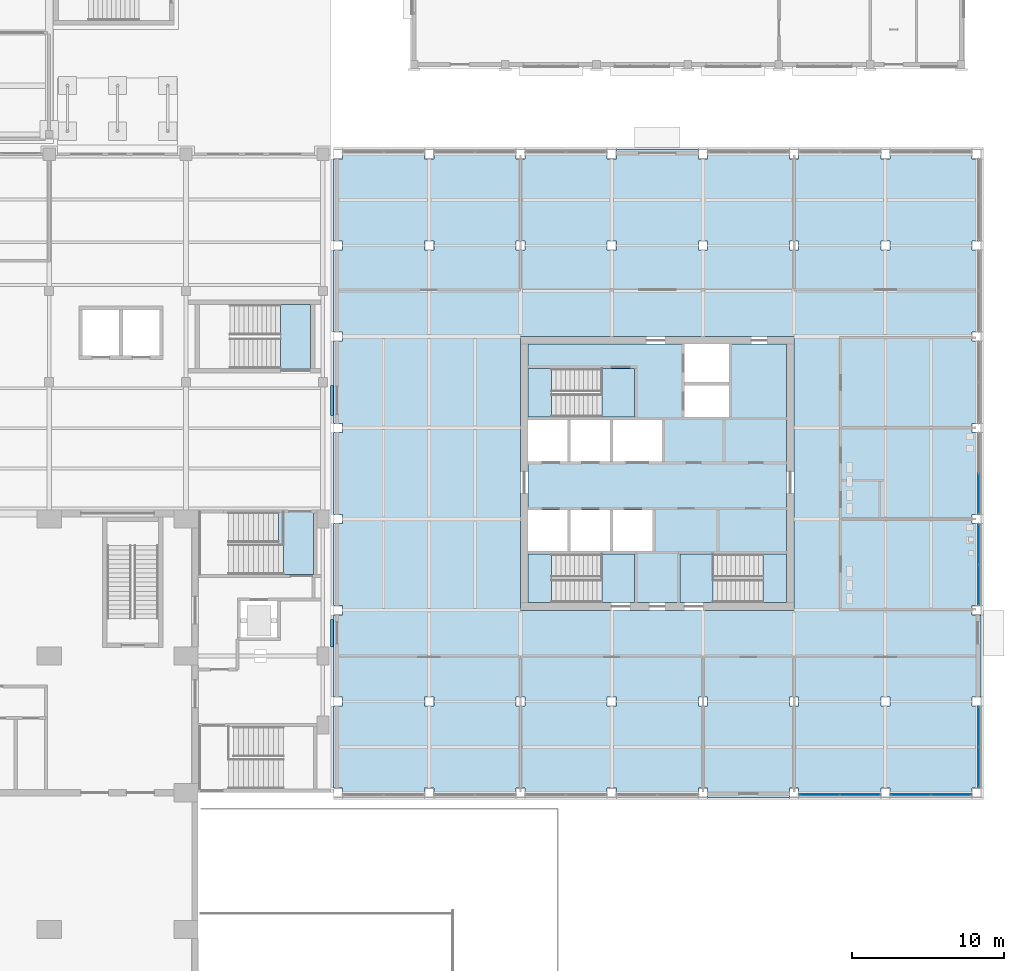
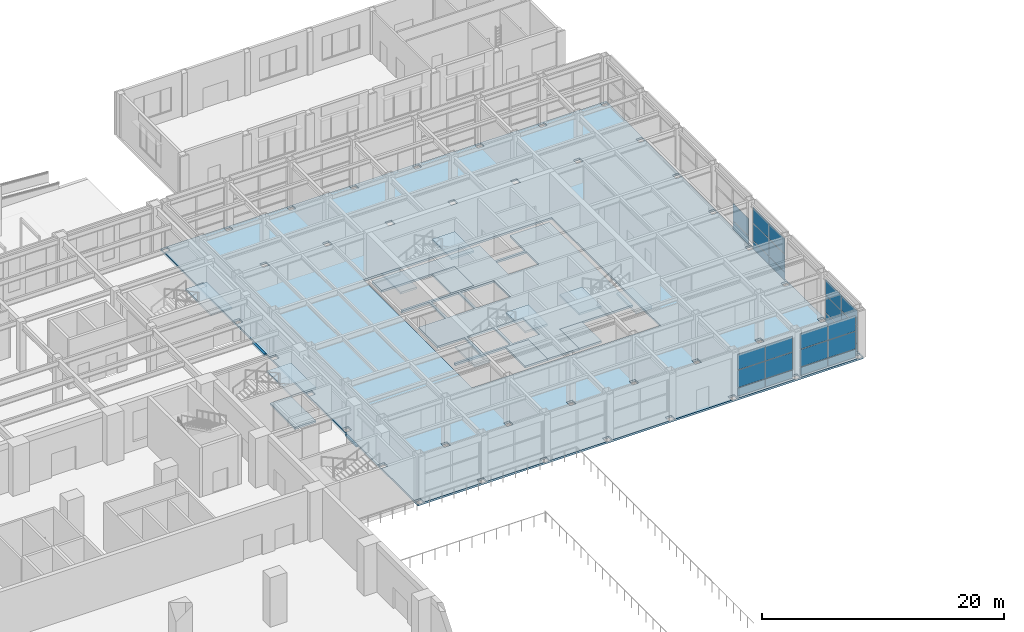
# One storey, part 33 of 77: 28 plates, 14 slabs, 10 elements without a shape of their own.
"""IFC4 building model written with IfcOpenShell, lengths in metres."""

from ifc_helpers import new_model, si_unit, direction, frame, origin, origin_2d, place, context, subcontext, project, spatial, polyline, rectangle, outline, extrude, material, layer, layer_set, type_object, element, aggregate, save


model = new_model("IFC4")

# Units and contexts
model_context = context("Model", 3, precision=1e-05, world=origin(), true_north=direction((0.0, 1.0)))
body_context = subcontext(model_context, "Body", "Model", "MODEL_VIEW")
ifc_project = project(units=[si_unit("LENGTHUNIT", "METRE"), si_unit("AREAUNIT", "SQUARE_METRE"), si_unit("VOLUMEUNIT", "CUBIC_METRE"), si_unit("PLANEANGLEUNIT", "RADIAN"), si_unit("MASSUNIT", "GRAM", prefix="KILO")], contexts=[model_context])

# Site, building, storey
site_placement = place(None, origin())
site = spatial("IfcSite", under=ifc_project, at=site_placement, CompositionType="ELEMENT")
building_placement = place(site_placement, origin())
building = spatial("IfcBuilding", under=site, at=building_placement, Name="Aravalli Gate Trade Fair Centre", CompositionType="ELEMENT")
storey_placement = place(building_placement, origin())
storey = spatial("IfcBuildingStorey", under=building, at=storey_placement, Name="L00", CompositionType="ELEMENT", Elevation=0.0)

# Stair, slab
ifc_material_1 = material(Name="Concrete M30", Category="concrete")
stair_type_1 = type_object("IfcStairType", Name="Concourse stair, 2000 wide", PredefinedType="HALF_TURN_STAIR", material=ifc_material_1)
stair_1_placement = place(storey_placement, origin())
stair_1 = element("IfcStair", 1, at=stair_1_placement, inside=storey, type_object=stair_type_1, Name="Stair ES L00", PredefinedType="HALF_TURN_STAIR")
ifc_layer_1 = layer(ifc_material_1, 0.199951171875)
ifc_layer_set_1 = layer_set([ifc_layer_1], Name="Concrete M30")
slab_type_1 = type_object("IfcSlabType", Name="Concourse stair landing 200", PredefinedType="LANDING", material=ifc_layer_set_1)
slab_1_placement = place(storey_placement, frame((0.0, 0.0, 3.13330078125)))
slab_1 = element("IfcSlab", 2, at=slab_1_placement, type_object=slab_type_1, Name="STES-L00 landing 2", PredefinedType="LANDING", context=body_context, shape_type="SweptSolid", body=[
    extrude(outline(polyline([(156.199951171875, 118.89990234375), (158.199951171875, 118.89990234375), (158.199951171875, 123.10009765625), (156.199951171875, 123.10009765625), (156.199951171875, 118.89990234375)])), origin(), (0.0, 0.0, 1.0), 0.199951171875),
])
aggregate(stair_1, [slab_1])

# Slab
ifc_material_2 = material(Name="Concrete M50", Category="concrete")
ifc_layer_2 = layer(ifc_material_2, 0.199951171875)
ifc_layer_set_2 = layer_set([ifc_layer_2], Name="Concrete M50")
slab_type_2 = type_object("IfcSlabType", Name="Wing core floor slab 200", PredefinedType="FLOOR", material=ifc_layer_set_2)
slab_2_placement = place(storey_placement, frame((0.0, 0.0, -0.199951171875)))
element("IfcSlab", 3, at=slab_2_placement, inside=storey, type_object=slab_type_2, Name="Core floor slab L00", PredefinedType="FLOOR", context=body_context, shape_type="SweptSolid", body=[
    extrude(outline(polyline([(189.5, 120.5), (189.5, 106.699951171875), (182.5, 106.699951171875), (182.5, 103.5), (179.5, 103.5), (179.5, 106.699951171875), (172.5, 106.699951171875), (172.5, 106.89990234375), (175.10009765625, 106.89990234375), (175.10009765625, 109.60009765625), (172.5, 109.60009765625), (172.5, 112.800048828125), (175.10009765625, 112.800048828125), (175.10009765625, 115.5), (172.5, 115.5), (172.5, 115.699951171875), (179.5, 115.699951171875), (179.5, 118.89990234375), (172.5, 118.89990234375), (172.5, 120.5), (182.800048828125, 120.5), (182.800048828125, 118.0), (185.699951171875, 118.0), (185.699951171875, 120.5), (189.5, 120.5)]), holes=[polyline([(175.300048828125, 109.60009765625), (175.300048828125, 106.89990234375), (177.89990234375, 106.89990234375), (177.89990234375, 109.60009765625), (175.300048828125, 109.60009765625)]), polyline([(177.89990234375, 115.5), (175.300048828125, 115.5), (175.300048828125, 112.800048828125), (177.89990234375, 112.800048828125), (177.89990234375, 115.5)]), polyline([(180.699951171875, 109.60009765625), (178.10009765625, 109.60009765625), (178.10009765625, 106.89990234375), (180.699951171875, 106.89990234375), (180.699951171875, 109.60009765625)]), polyline([(178.10009765625, 115.5), (178.10009765625, 112.800048828125), (181.300048828125, 112.800048828125), (181.300048828125, 115.5), (178.10009765625, 115.5)]), polyline([(185.699951171875, 117.800048828125), (182.800048828125, 117.800048828125), (182.800048828125, 115.699951171875), (185.699951171875, 115.699951171875), (185.699951171875, 117.800048828125)])]), origin(), (0.0, 0.0, 1.0), 0.199951171875),
])

# Stair, slabs
stair_type_2 = type_object("IfcStairType", Name="Wing core stair", PredefinedType="HALF_TURN_STAIR", material=ifc_material_1)
stair_2_placement = place(storey_placement, origin())
stair_2 = element("IfcStair", 4, at=stair_2_placement, inside=storey, type_object=stair_type_2, Name="Stair S2 L00", PredefinedType="HALF_TURN_STAIR")
ifc_layer_3 = layer(ifc_material_1, 0.199951171875)
ifc_layer_set_3 = layer_set([ifc_layer_3], Name="Concrete M30")
slab_type_3 = type_object("IfcSlabType", Name="Wing core stair landing 200", PredefinedType="LANDING", material=ifc_layer_set_3)
slab_3_placement = place(storey_placement, frame((0.0, 0.0, -0.199951171875)))
slab_3 = element("IfcSlab", 5, at=slab_3_placement, type_object=slab_type_3, Name="TST1 landing 1", PredefinedType="LANDING", context=body_context, shape_type="SweptSolid", body=[
    extrude(outline(polyline([(177.35009765625, 103.5), (179.5, 103.5), (179.5, 106.699951171875), (177.35009765625, 106.699951171875), (177.35009765625, 103.5)])), origin(), (0.0, 0.0, 1.0), 0.199951171875),
])
slab_4_placement = place(storey_placement, frame((0.0, 0.0, 1.564697265625)))
slab_4 = element("IfcSlab", 6, at=slab_4_placement, type_object=slab_type_3, Name="TST1 landing 2", PredefinedType="LANDING", context=body_context, shape_type="SweptSolid", body=[
    extrude(outline(polyline([(172.5, 103.5), (174.050048828125, 103.5), (174.050048828125, 106.699951171875), (172.5, 106.699951171875), (172.5, 103.5)])), origin(), (0.0, 0.0, 1.0), 0.199951171875),
])
slab_5_placement = place(storey_placement, frame((0.0, 0.0, 3.329345703125)))
slab_5 = element("IfcSlab", 7, at=slab_5_placement, type_object=slab_type_3, Name="TST1 landing 3", PredefinedType="LANDING", context=body_context, shape_type="SweptSolid", body=[
    extrude(outline(polyline([(177.35009765625, 103.5), (179.5, 103.5), (179.5, 106.699951171875), (177.35009765625, 106.699951171875), (177.35009765625, 103.5)])), origin(), (0.0, 0.0, 1.0), 0.199951171875),
])
aggregate(stair_2, [slab_3, slab_4, slab_5])

stair_3_placement = place(storey_placement, origin())
stair_3 = element("IfcStair", 8, at=stair_3_placement, inside=storey, type_object=stair_type_2, Name="Stair S1 L00", PredefinedType="HALF_TURN_STAIR")
slab_6_placement = place(storey_placement, frame((0.0, 0.0, -0.199951171875)))
slab_6 = element("IfcSlab", 9, at=slab_6_placement, type_object=slab_type_3, Name="TST1 landing 1", PredefinedType="LANDING", context=body_context, shape_type="SweptSolid", body=[
    extrude(outline(polyline([(182.5, 103.5), (184.64990234375, 103.5), (184.64990234375, 106.699951171875), (182.5, 106.699951171875), (182.5, 103.5)])), origin(), (0.0, 0.0, 1.0), 0.199951171875),
])
slab_7_placement = place(storey_placement, frame((0.0, 0.0, 1.564697265625)))
slab_7 = element("IfcSlab", 10, at=slab_7_placement, type_object=slab_type_3, Name="TST1 landing 2", PredefinedType="LANDING", context=body_context, shape_type="SweptSolid", body=[
    extrude(outline(polyline([(187.949951171875, 103.5), (189.5, 103.5), (189.5, 106.699951171875), (187.949951171875, 106.699951171875), (187.949951171875, 103.5)])), origin(), (0.0, 0.0, 1.0), 0.199951171875),
])
slab_8_placement = place(storey_placement, frame((0.0, 0.0, 3.329345703125)))
slab_8 = element("IfcSlab", 11, at=slab_8_placement, type_object=slab_type_3, Name="TST1 landing 3", PredefinedType="LANDING", context=body_context, shape_type="SweptSolid", body=[
    extrude(outline(polyline([(182.5, 103.5), (184.64990234375, 103.5), (184.64990234375, 106.699951171875), (182.5, 106.699951171875), (182.5, 103.5)])), origin(), (0.0, 0.0, 1.0), 0.199951171875),
])
aggregate(stair_3, [slab_6, slab_7, slab_8])

stair_4_placement = place(storey_placement, origin())
stair_4 = element("IfcStair", 12, at=stair_4_placement, inside=storey, type_object=stair_type_2, Name="Stair FFS L00", PredefinedType="HALF_TURN_STAIR")
slab_9_placement = place(storey_placement, frame((0.0, 0.0, -0.199951171875)))
slab_9 = element("IfcSlab", 13, at=slab_9_placement, type_object=slab_type_3, Name="TST1 landing 1", PredefinedType="LANDING", context=body_context, shape_type="SweptSolid", body=[
    extrude(outline(polyline([(177.35009765625, 115.699951171875), (179.5, 115.699951171875), (179.5, 118.89990234375), (177.35009765625, 118.89990234375), (177.35009765625, 115.699951171875)])), origin(), (0.0, 0.0, 1.0), 0.199951171875),
])
slab_10_placement = place(storey_placement, frame((0.0, 0.0, 1.564697265625)))
slab_10 = element("IfcSlab", 14, at=slab_10_placement, type_object=slab_type_3, Name="TST1 landing 2", PredefinedType="LANDING", context=body_context, shape_type="SweptSolid", body=[
    extrude(outline(polyline([(172.5, 115.699951171875), (174.050048828125, 115.699951171875), (174.050048828125, 118.89990234375), (172.5, 118.89990234375), (172.5, 115.699951171875)])), origin(), (0.0, 0.0, 1.0), 0.199951171875),
])
slab_11_placement = place(storey_placement, frame((0.0, 0.0, 3.329345703125)))
slab_11 = element("IfcSlab", 15, at=slab_11_placement, type_object=slab_type_3, Name="TST1 landing 3", PredefinedType="LANDING", context=body_context, shape_type="SweptSolid", body=[
    extrude(outline(polyline([(177.35009765625, 115.699951171875), (179.5, 115.699951171875), (179.5, 118.89990234375), (177.35009765625, 118.89990234375), (177.35009765625, 115.699951171875)])), origin(), (0.0, 0.0, 1.0), 0.199951171875),
])
aggregate(stair_4, [slab_9, slab_10, slab_11])

stair_5_placement = place(storey_placement, origin())
stair_5 = element("IfcStair", 16, at=stair_5_placement, inside=storey, type_object=stair_type_2, Name="Stair LB L00", PredefinedType="HALF_TURN_STAIR")
slab_12_placement = place(storey_placement, frame((0.0, 0.0, -0.199951171875)))
slab_12 = element("IfcSlab", 17, at=slab_12_placement, type_object=slab_type_3, Name="TST1 landing 1", PredefinedType="LANDING", context=body_context, shape_type="SweptSolid", body=[
    extrude(outline(polyline([(156.39990234375, 105.35009765625), (158.39990234375, 105.35009765625), (158.39990234375, 109.449951171875), (156.39990234375, 109.449951171875), (156.39990234375, 105.35009765625)])), origin(), (0.0, 0.0, 1.0), 0.199951171875),
])
slab_13_placement = place(storey_placement, frame((0.0, 0.0, 3.182373046875)))
slab_13 = element("IfcSlab", 18, at=slab_13_placement, type_object=slab_type_3, Name="TST1 landing 3", PredefinedType="LANDING", context=body_context, shape_type="SweptSolid", body=[
    extrude(outline(polyline([(156.072998046875, 105.35009765625), (158.39990234375, 105.35009765625), (158.39990234375, 109.449951171875), (156.072998046875, 109.449951171875), (156.072998046875, 105.35009765625)])), origin(), (0.0, 0.0, 1.0), 0.199951171875),
])
aggregate(stair_5, [slab_12, slab_13])

# Curtain wall, plates
ifc_material_3 = material(Name="Aluminium and glass", Category="aluminium")
curtain_wall_type = type_object("IfcCurtainWallType", Name="Wing curtain wall", PredefinedType="NOTDEFINED", material=ifc_material_3)
curtain_wall_1_placement = place(storey_placement, origin())
curtain_wall_1 = element("IfcCurtainWall", 19, at=curtain_wall_1_placement, inside=storey, type_object=curtain_wall_type, Name="Curtain wall S5 L00", PredefinedType="NOTDEFINED")
ifc_material_4 = material(Name="Glass", Category="glass")
ifc_layer_4 = layer(ifc_material_4, 0.028076171875)
ifc_layer_set_4 = layer_set([ifc_layer_4], Name="Glass")
plate_type_1 = type_object("IfcPlateType", Name="Wing curtain wall glazing panel 28", PredefinedType="CURTAIN_PANEL", material=ifc_layer_set_4)
plate_1_placement = place(storey_placement, frame((191.6650390625, 90.875, 0.06005859375), z_axis=(0.0, 0.0, 1.0), x_axis=(1.0, 0.0, 0.0)))
plate_1 = element("IfcPlate", 20, at=plate_1_placement, type_object=plate_type_1, Name="TCW1 panel 1.1", PredefinedType="CURTAIN_PANEL", context=body_context, shape_type="SweptSolid", body=[
    extrude(rectangle(XDim=2.610107421875, YDim=0.028076171875, at=origin_2d()), origin(), (0.0, 0.0, 1.0), 0.81005859375),
])
plate_2_placement = place(storey_placement, frame((191.6650390625, 90.875, 0.93017578125), z_axis=(0.0, 0.0, 1.0), x_axis=(1.0, 0.0, 0.0)))
plate_2 = element("IfcPlate", 21, at=plate_2_placement, type_object=plate_type_1, Name="TCW1 panel 1.2", PredefinedType="CURTAIN_PANEL", context=body_context, shape_type="SweptSolid", body=[
    extrude(rectangle(XDim=2.610107421875, YDim=0.028076171875, at=origin_2d()), origin(), (0.0, 0.0, 1.0), 1.739990234375),
])
plate_3_placement = place(storey_placement, frame((191.6650390625, 90.875, 2.72998046875), z_axis=(0.0, 0.0, 1.0), x_axis=(1.0, 0.0, 0.0)))
plate_3 = element("IfcPlate", 22, at=plate_3_placement, type_object=plate_type_1, Name="TCW1 panel 1.3", PredefinedType="CURTAIN_PANEL", context=body_context, shape_type="SweptSolid", body=[
    extrude(rectangle(XDim=2.610107421875, YDim=0.028076171875, at=origin_2d()), origin(), (0.0, 0.0, 1.0), 1.56005859375),
])
plate_4_placement = place(storey_placement, frame((194.3349609375, 90.875, 0.06005859375), z_axis=(0.0, 0.0, 1.0), x_axis=(1.0, 0.0, 0.0)))
plate_4 = element("IfcPlate", 23, at=plate_4_placement, type_object=plate_type_1, Name="TCW1 panel 2.1", PredefinedType="CURTAIN_PANEL", context=body_context, shape_type="SweptSolid", body=[
    extrude(rectangle(XDim=2.610107421875, YDim=0.028076171875, at=origin_2d()), origin(), (0.0, 0.0, 1.0), 0.81005859375),
])
plate_5_placement = place(storey_placement, frame((194.3349609375, 90.875, 0.93017578125), z_axis=(0.0, 0.0, 1.0), x_axis=(1.0, 0.0, 0.0)))
plate_5 = element("IfcPlate", 24, at=plate_5_placement, type_object=plate_type_1, Name="TCW1 panel 2.2", PredefinedType="CURTAIN_PANEL", context=body_context, shape_type="SweptSolid", body=[
    extrude(rectangle(XDim=2.610107421875, YDim=0.028076171875, at=origin_2d()), origin(), (0.0, 0.0, 1.0), 1.739990234375),
])
plate_6_placement = place(storey_placement, frame((194.3349609375, 90.875, 2.72998046875), z_axis=(0.0, 0.0, 1.0), x_axis=(1.0, 0.0, 0.0)))
plate_6 = element("IfcPlate", 25, at=plate_6_placement, type_object=plate_type_1, Name="TCW1 panel 2.3", PredefinedType="CURTAIN_PANEL", context=body_context, shape_type="SweptSolid", body=[
    extrude(rectangle(XDim=2.610107421875, YDim=0.028076171875, at=origin_2d()), origin(), (0.0, 0.0, 1.0), 1.56005859375),
])
aggregate(curtain_wall_1, [plate_1, plate_2, plate_3, plate_4, plate_5, plate_6])

curtain_wall_2_placement = place(storey_placement, origin())
curtain_wall_2 = element("IfcCurtainWall", 26, at=curtain_wall_2_placement, inside=storey, type_object=curtain_wall_type, Name="Curtain wall S6 L00", PredefinedType="NOTDEFINED")
plate_7_placement = place(storey_placement, frame((197.6650390625, 90.875, 0.06005859375), z_axis=(0.0, 0.0, 1.0), x_axis=(1.0, 0.0, 0.0)))
plate_7 = element("IfcPlate", 27, at=plate_7_placement, type_object=plate_type_1, Name="TCW1 panel 1.1", PredefinedType="CURTAIN_PANEL", context=body_context, shape_type="SweptSolid", body=[
    extrude(rectangle(XDim=2.610107421875, YDim=0.028076171875, at=origin_2d()), origin(), (0.0, 0.0, 1.0), 0.81005859375),
])
plate_8_placement = place(storey_placement, frame((197.6650390625, 90.875, 0.93017578125), z_axis=(0.0, 0.0, 1.0), x_axis=(1.0, 0.0, 0.0)))
plate_8 = element("IfcPlate", 28, at=plate_8_placement, type_object=plate_type_1, Name="TCW1 panel 1.2", PredefinedType="CURTAIN_PANEL", context=body_context, shape_type="SweptSolid", body=[
    extrude(rectangle(XDim=2.610107421875, YDim=0.028076171875, at=origin_2d()), origin(), (0.0, 0.0, 1.0), 1.739990234375),
])
plate_9_placement = place(storey_placement, frame((197.6650390625, 90.875, 2.72998046875), z_axis=(0.0, 0.0, 1.0), x_axis=(1.0, 0.0, 0.0)))
plate_9 = element("IfcPlate", 29, at=plate_9_placement, type_object=plate_type_1, Name="TCW1 panel 1.3", PredefinedType="CURTAIN_PANEL", context=body_context, shape_type="SweptSolid", body=[
    extrude(rectangle(XDim=2.610107421875, YDim=0.028076171875, at=origin_2d()), origin(), (0.0, 0.0, 1.0), 1.56005859375),
])
plate_10_placement = place(storey_placement, frame((200.3349609375, 90.875, 0.06005859375), z_axis=(0.0, 0.0, 1.0), x_axis=(1.0, 0.0, 0.0)))
plate_10 = element("IfcPlate", 30, at=plate_10_placement, type_object=plate_type_1, Name="TCW1 panel 2.1", PredefinedType="CURTAIN_PANEL", context=body_context, shape_type="SweptSolid", body=[
    extrude(rectangle(XDim=2.610107421875, YDim=0.028076171875, at=origin_2d()), origin(), (0.0, 0.0, 1.0), 0.81005859375),
])
plate_11_placement = place(storey_placement, frame((200.3349609375, 90.875, 0.93017578125), z_axis=(0.0, 0.0, 1.0), x_axis=(1.0, 0.0, 0.0)))
plate_11 = element("IfcPlate", 31, at=plate_11_placement, type_object=plate_type_1, Name="TCW1 panel 2.2", PredefinedType="CURTAIN_PANEL", context=body_context, shape_type="SweptSolid", body=[
    extrude(rectangle(XDim=2.610107421875, YDim=0.028076171875, at=origin_2d()), origin(), (0.0, 0.0, 1.0), 1.739990234375),
])
plate_12_placement = place(storey_placement, frame((200.3349609375, 90.875, 2.72998046875), z_axis=(0.0, 0.0, 1.0), x_axis=(1.0, 0.0, 0.0)))
plate_12 = element("IfcPlate", 32, at=plate_12_placement, type_object=plate_type_1, Name="TCW1 panel 2.3", PredefinedType="CURTAIN_PANEL", context=body_context, shape_type="SweptSolid", body=[
    extrude(rectangle(XDim=2.610107421875, YDim=0.028076171875, at=origin_2d()), origin(), (0.0, 0.0, 1.0), 1.56005859375),
])
aggregate(curtain_wall_2, [plate_7, plate_8, plate_9, plate_10, plate_11, plate_12])

curtain_wall_3_placement = place(storey_placement, origin())
curtain_wall_3 = element("IfcCurtainWall", 33, at=curtain_wall_3_placement, inside=storey, type_object=curtain_wall_type, Name="Curtain wall E0 L00", PredefinedType="NOTDEFINED")
plate_13_placement = place(storey_placement, frame((202.125, 92.6650390625, 0.06005859375), z_axis=(0.0, 0.0, 1.0), x_axis=(0.0, 1.0, 0.0)))
plate_13 = element("IfcPlate", 34, at=plate_13_placement, type_object=plate_type_1, Name="TCW1 panel 1.1", PredefinedType="CURTAIN_PANEL", context=body_context, shape_type="SweptSolid", body=[
    extrude(rectangle(XDim=2.610107421875, YDim=0.028076171875, at=origin_2d()), origin(), (0.0, 0.0, 1.0), 0.81005859375),
])
plate_14_placement = place(storey_placement, frame((202.125, 92.6650390625, 0.93017578125), z_axis=(0.0, 0.0, 1.0), x_axis=(0.0, 1.0, 0.0)))
plate_14 = element("IfcPlate", 35, at=plate_14_placement, type_object=plate_type_1, Name="TCW1 panel 1.2", PredefinedType="CURTAIN_PANEL", context=body_context, shape_type="SweptSolid", body=[
    extrude(rectangle(XDim=2.610107421875, YDim=0.028076171875, at=origin_2d()), origin(), (0.0, 0.0, 1.0), 1.739990234375),
])
plate_15_placement = place(storey_placement, frame((202.125, 92.6650390625, 2.72998046875), z_axis=(0.0, 0.0, 1.0), x_axis=(0.0, 1.0, 0.0)))
plate_15 = element("IfcPlate", 36, at=plate_15_placement, type_object=plate_type_1, Name="TCW1 panel 1.3", PredefinedType="CURTAIN_PANEL", context=body_context, shape_type="SweptSolid", body=[
    extrude(rectangle(XDim=2.610107421875, YDim=0.028076171875, at=origin_2d()), origin(), (0.0, 0.0, 1.0), 1.56005859375),
])
plate_16_placement = place(storey_placement, frame((202.125, 95.3349609375, 0.06005859375), z_axis=(0.0, 0.0, 1.0), x_axis=(0.0, 1.0, 0.0)))
plate_16 = element("IfcPlate", 37, at=plate_16_placement, type_object=plate_type_1, Name="TCW1 panel 2.1", PredefinedType="CURTAIN_PANEL", context=body_context, shape_type="SweptSolid", body=[
    extrude(rectangle(XDim=2.610107421875, YDim=0.028076171875, at=origin_2d()), origin(), (0.0, 0.0, 1.0), 0.81005859375),
])
plate_17_placement = place(storey_placement, frame((202.125, 95.3349609375, 0.93017578125), z_axis=(0.0, 0.0, 1.0), x_axis=(0.0, 1.0, 0.0)))
plate_17 = element("IfcPlate", 38, at=plate_17_placement, type_object=plate_type_1, Name="TCW1 panel 2.2", PredefinedType="CURTAIN_PANEL", context=body_context, shape_type="SweptSolid", body=[
    extrude(rectangle(XDim=2.610107421875, YDim=0.028076171875, at=origin_2d()), origin(), (0.0, 0.0, 1.0), 1.739990234375),
])
plate_18_placement = place(storey_placement, frame((202.125, 95.3349609375, 2.72998046875), z_axis=(0.0, 0.0, 1.0), x_axis=(0.0, 1.0, 0.0)))
plate_18 = element("IfcPlate", 39, at=plate_18_placement, type_object=plate_type_1, Name="TCW1 panel 2.3", PredefinedType="CURTAIN_PANEL", context=body_context, shape_type="SweptSolid", body=[
    extrude(rectangle(XDim=2.610107421875, YDim=0.028076171875, at=origin_2d()), origin(), (0.0, 0.0, 1.0), 1.56005859375),
])
aggregate(curtain_wall_3, [plate_13, plate_14, plate_15, plate_16, plate_17, plate_18])

curtain_wall_4_placement = place(storey_placement, origin())
curtain_wall_4 = element("IfcCurtainWall", 40, at=curtain_wall_4_placement, inside=storey, type_object=curtain_wall_type, Name="Curtain wall E2 L00", PredefinedType="NOTDEFINED")
plate_19_placement = place(storey_placement, frame((202.125, 104.6650390625, 0.06005859375), z_axis=(0.0, 0.0, 1.0), x_axis=(0.0, 1.0, 0.0)))
plate_19 = element("IfcPlate", 41, at=plate_19_placement, type_object=plate_type_1, Name="TCW1 panel 1.1", PredefinedType="CURTAIN_PANEL", context=body_context, shape_type="SweptSolid", body=[
    extrude(rectangle(XDim=2.610107421875, YDim=0.028076171875, at=origin_2d()), origin(), (0.0, 0.0, 1.0), 0.81005859375),
])
plate_20_placement = place(storey_placement, frame((202.125, 104.6650390625, 0.93017578125), z_axis=(0.0, 0.0, 1.0), x_axis=(0.0, 1.0, 0.0)))
plate_20 = element("IfcPlate", 42, at=plate_20_placement, type_object=plate_type_1, Name="TCW1 panel 1.2", PredefinedType="CURTAIN_PANEL", context=body_context, shape_type="SweptSolid", body=[
    extrude(rectangle(XDim=2.610107421875, YDim=0.028076171875, at=origin_2d()), origin(), (0.0, 0.0, 1.0), 1.739990234375),
])
plate_21_placement = place(storey_placement, frame((202.125, 104.6650390625, 2.72998046875), z_axis=(0.0, 0.0, 1.0), x_axis=(0.0, 1.0, 0.0)))
plate_21 = element("IfcPlate", 43, at=plate_21_placement, type_object=plate_type_1, Name="TCW1 panel 1.3", PredefinedType="CURTAIN_PANEL", context=body_context, shape_type="SweptSolid", body=[
    extrude(rectangle(XDim=2.610107421875, YDim=0.028076171875, at=origin_2d()), origin(), (0.0, 0.0, 1.0), 1.56005859375),
])
plate_22_placement = place(storey_placement, frame((202.125, 107.3349609375, 0.06005859375), z_axis=(0.0, 0.0, 1.0), x_axis=(0.0, 1.0, 0.0)))
plate_22 = element("IfcPlate", 44, at=plate_22_placement, type_object=plate_type_1, Name="TCW1 panel 2.1", PredefinedType="CURTAIN_PANEL", context=body_context, shape_type="SweptSolid", body=[
    extrude(rectangle(XDim=2.610107421875, YDim=0.028076171875, at=origin_2d()), origin(), (0.0, 0.0, 1.0), 0.81005859375),
])
plate_23_placement = place(storey_placement, frame((202.125, 107.3349609375, 0.93017578125), z_axis=(0.0, 0.0, 1.0), x_axis=(0.0, 1.0, 0.0)))
plate_23 = element("IfcPlate", 45, at=plate_23_placement, type_object=plate_type_1, Name="TCW1 panel 2.2", PredefinedType="CURTAIN_PANEL", context=body_context, shape_type="SweptSolid", body=[
    extrude(rectangle(XDim=2.610107421875, YDim=0.028076171875, at=origin_2d()), origin(), (0.0, 0.0, 1.0), 1.739990234375),
])
plate_24_placement = place(storey_placement, frame((202.125, 107.3349609375, 2.72998046875), z_axis=(0.0, 0.0, 1.0), x_axis=(0.0, 1.0, 0.0)))
plate_24 = element("IfcPlate", 46, at=plate_24_placement, type_object=plate_type_1, Name="TCW1 panel 2.3", PredefinedType="CURTAIN_PANEL", context=body_context, shape_type="SweptSolid", body=[
    extrude(rectangle(XDim=2.610107421875, YDim=0.028076171875, at=origin_2d()), origin(), (0.0, 0.0, 1.0), 1.56005859375),
])
aggregate(curtain_wall_4, [plate_19, plate_20, plate_21, plate_22, plate_23, plate_24])

curtain_wall_5_placement = place(storey_placement, origin())
curtain_wall_5 = element("IfcCurtainWall", 47, at=curtain_wall_5_placement, inside=storey, type_object=curtain_wall_type, Name="Curtain wall E3 L00", PredefinedType="NOTDEFINED")
plate_25_placement = place(storey_placement, frame((202.125, 110.6650390625, 0.06005859375), z_axis=(0.0, 0.0, 1.0), x_axis=(0.0, 1.0, 0.0)))
plate_25 = element("IfcPlate", 48, at=plate_25_placement, type_object=plate_type_1, Name="TCW1 panel 1.1", PredefinedType="CURTAIN_PANEL", context=body_context, shape_type="SweptSolid", body=[
    extrude(rectangle(XDim=2.610107421875, YDim=0.028076171875, at=origin_2d()), origin(), (0.0, 0.0, 1.0), 0.81005859375),
])
plate_26_placement = place(storey_placement, frame((202.125, 110.6650390625, 0.93017578125), z_axis=(0.0, 0.0, 1.0), x_axis=(0.0, 1.0, 0.0)))
plate_26 = element("IfcPlate", 49, at=plate_26_placement, type_object=plate_type_1, Name="TCW1 panel 1.2", PredefinedType="CURTAIN_PANEL", context=body_context, shape_type="SweptSolid", body=[
    extrude(rectangle(XDim=2.610107421875, YDim=0.028076171875, at=origin_2d()), origin(), (0.0, 0.0, 1.0), 1.739990234375),
])
aggregate(curtain_wall_5, [plate_25, plate_26])

# Slab
ifc_layer_5 = layer(ifc_material_2, 0.199951171875)
ifc_layer_set_5 = layer_set([ifc_layer_5], Name="Concrete M50")
slab_type_4 = type_object("IfcSlabType", Name="Wing floor slab 200", PredefinedType="FLOOR", material=ifc_layer_set_5)
slab_14_placement = place(storey_placement, frame((0.0, 0.0, -0.199951171875)))
element("IfcSlab", 50, at=slab_14_placement, inside=storey, type_object=slab_type_4, Name="Wing floor slab L00", PredefinedType="FLOOR", context=body_context, shape_type="SweptSolid", body=[
    extrude(outline(polyline([(159.695068359375, 133.304931640625), (202.304931640625, 133.304931640625), (202.304931640625, 90.695068359375), (159.695068359375, 90.695068359375), (159.695068359375, 133.304931640625)]), holes=[polyline([(178.300048828125, 91.300048828125), (177.699951171875, 91.300048828125), (177.699951171875, 90.699951171875), (178.300048828125, 90.699951171875), (178.300048828125, 91.300048828125)]), polyline([(172.300048828125, 91.300048828125), (171.699951171875, 91.300048828125), (171.699951171875, 90.699951171875), (172.300048828125, 90.699951171875), (172.300048828125, 91.300048828125)]), polyline([(166.300048828125, 91.300048828125), (165.699951171875, 91.300048828125), (165.699951171875, 90.699951171875), (166.300048828125, 90.699951171875), (166.300048828125, 91.300048828125)]), polyline([(160.300048828125, 90.699951171875), (160.300048828125, 91.300048828125), (159.699951171875, 91.300048828125), (159.699951171875, 90.699951171875), (160.300048828125, 90.699951171875)]), polyline([(166.300048828125, 96.699951171875), (166.300048828125, 97.300048828125), (165.699951171875, 97.300048828125), (165.699951171875, 96.699951171875), (166.300048828125, 96.699951171875)]), polyline([(178.300048828125, 97.300048828125), (177.699951171875, 97.300048828125), (177.699951171875, 96.699951171875), (178.300048828125, 96.699951171875), (178.300048828125, 97.300048828125)]), polyline([(172.300048828125, 97.300048828125), (171.699951171875, 97.300048828125), (171.699951171875, 96.699951171875), (172.300048828125, 96.699951171875), (172.300048828125, 97.300048828125)]), polyline([(160.300048828125, 97.300048828125), (159.699951171875, 97.300048828125), (159.699951171875, 96.699951171875), (160.300048828125, 96.699951171875), (160.300048828125, 97.300048828125)]), polyline([(160.300048828125, 102.699951171875), (160.300048828125, 103.300048828125), (159.699951171875, 103.300048828125), (159.699951171875, 102.699951171875), (160.300048828125, 102.699951171875)]), polyline([(160.300048828125, 108.699951171875), (160.300048828125, 109.300048828125), (159.699951171875, 109.300048828125), (159.699951171875, 108.699951171875), (160.300048828125, 108.699951171875)]), polyline([(160.300048828125, 115.300048828125), (159.699951171875, 115.300048828125), (159.699951171875, 114.699951171875), (160.300048828125, 114.699951171875), (160.300048828125, 115.300048828125)]), polyline([(160.300048828125, 121.300048828125), (159.699951171875, 121.300048828125), (159.699951171875, 120.699951171875), (160.300048828125, 120.699951171875), (160.300048828125, 121.300048828125)]), polyline([(160.300048828125, 127.300048828125), (159.699951171875, 127.300048828125), (159.699951171875, 126.699951171875), (160.300048828125, 126.699951171875), (160.300048828125, 127.300048828125)]), polyline([(166.300048828125, 126.699951171875), (166.300048828125, 127.300048828125), (165.699951171875, 127.300048828125), (165.699951171875, 126.699951171875), (166.300048828125, 126.699951171875)]), polyline([(172.300048828125, 126.699951171875), (172.300048828125, 127.300048828125), (171.699951171875, 127.300048828125), (171.699951171875, 126.699951171875), (172.300048828125, 126.699951171875)]), polyline([(178.300048828125, 127.300048828125), (177.699951171875, 127.300048828125), (177.699951171875, 126.699951171875), (178.300048828125, 126.699951171875), (178.300048828125, 127.300048828125)]), polyline([(160.300048828125, 133.300048828125), (159.699951171875, 133.300048828125), (159.699951171875, 132.699951171875), (160.300048828125, 132.699951171875), (160.300048828125, 133.300048828125)]), polyline([(166.300048828125, 133.300048828125), (165.699951171875, 133.300048828125), (165.699951171875, 132.699951171875), (166.300048828125, 132.699951171875), (166.300048828125, 133.300048828125)]), polyline([(172.300048828125, 132.699951171875), (172.300048828125, 133.300048828125), (171.699951171875, 133.300048828125), (171.699951171875, 132.699951171875), (172.300048828125, 132.699951171875)]), polyline([(178.300048828125, 132.699951171875), (178.300048828125, 133.300048828125), (177.699951171875, 133.300048828125), (177.699951171875, 132.699951171875), (178.300048828125, 132.699951171875)]), polyline([(202.300048828125, 91.300048828125), (201.699951171875, 91.300048828125), (201.699951171875, 90.699951171875), (202.300048828125, 90.699951171875), (202.300048828125, 91.300048828125)]), polyline([(196.300048828125, 91.300048828125), (195.699951171875, 91.300048828125), (195.699951171875, 90.699951171875), (196.300048828125, 90.699951171875), (196.300048828125, 91.300048828125)]), polyline([(184.300048828125, 91.300048828125), (183.699951171875, 91.300048828125), (183.699951171875, 90.699951171875), (184.300048828125, 90.699951171875), (184.300048828125, 91.300048828125)]), polyline([(190.300048828125, 90.699951171875), (190.300048828125, 91.300048828125), (189.699951171875, 91.300048828125), (189.699951171875, 90.699951171875), (190.300048828125, 90.699951171875)]), polyline([(196.300048828125, 96.699951171875), (196.300048828125, 97.300048828125), (195.699951171875, 97.300048828125), (195.699951171875, 96.699951171875), (196.300048828125, 96.699951171875)]), polyline([(190.300048828125, 97.300048828125), (189.699951171875, 97.300048828125), (189.699951171875, 96.699951171875), (190.300048828125, 96.699951171875), (190.300048828125, 97.300048828125)]), polyline([(202.300048828125, 97.300048828125), (201.699951171875, 97.300048828125), (201.699951171875, 96.699951171875), (202.300048828125, 96.699951171875), (202.300048828125, 97.300048828125)]), polyline([(184.300048828125, 97.300048828125), (183.699951171875, 97.300048828125), (183.699951171875, 96.699951171875), (184.300048828125, 96.699951171875), (184.300048828125, 97.300048828125)]), polyline([(202.300048828125, 102.699951171875), (202.300048828125, 103.300048828125), (201.699951171875, 103.300048828125), (201.699951171875, 102.699951171875), (202.300048828125, 102.699951171875)]), polyline([(202.300048828125, 108.699951171875), (202.300048828125, 109.300048828125), (201.699951171875, 109.300048828125), (201.699951171875, 108.699951171875), (202.300048828125, 108.699951171875)]), polyline([(202.300048828125, 115.300048828125), (201.699951171875, 115.300048828125), (201.699951171875, 114.699951171875), (202.300048828125, 114.699951171875), (202.300048828125, 115.300048828125)]), polyline([(202.300048828125, 121.300048828125), (201.699951171875, 121.300048828125), (201.699951171875, 120.699951171875), (202.300048828125, 120.699951171875), (202.300048828125, 121.300048828125)]), polyline([(190.300048828125, 127.300048828125), (189.699951171875, 127.300048828125), (189.699951171875, 126.699951171875), (190.300048828125, 126.699951171875), (190.300048828125, 127.300048828125)]), polyline([(196.300048828125, 126.699951171875), (196.300048828125, 127.300048828125), (195.699951171875, 127.300048828125), (195.699951171875, 126.699951171875), (196.300048828125, 126.699951171875)]), polyline([(184.300048828125, 126.699951171875), (184.300048828125, 127.300048828125), (183.699951171875, 127.300048828125), (183.699951171875, 126.699951171875), (184.300048828125, 126.699951171875)]), polyline([(202.300048828125, 127.300048828125), (201.699951171875, 127.300048828125), (201.699951171875, 126.699951171875), (202.300048828125, 126.699951171875), (202.300048828125, 127.300048828125)]), polyline([(196.300048828125, 133.300048828125), (195.699951171875, 133.300048828125), (195.699951171875, 132.699951171875), (196.300048828125, 132.699951171875), (196.300048828125, 133.300048828125)]), polyline([(202.300048828125, 133.300048828125), (201.699951171875, 133.300048828125), (201.699951171875, 132.699951171875), (202.300048828125, 132.699951171875), (202.300048828125, 133.300048828125)]), polyline([(190.300048828125, 132.699951171875), (190.300048828125, 133.300048828125), (189.699951171875, 133.300048828125), (189.699951171875, 132.699951171875), (190.300048828125, 132.699951171875)]), polyline([(184.300048828125, 132.699951171875), (184.300048828125, 133.300048828125), (183.699951171875, 133.300048828125), (183.699951171875, 132.699951171875), (184.300048828125, 132.699951171875)]), polyline([(190.0, 121.0), (172.0, 121.0), (172.0, 103.0), (190.0, 103.0), (190.0, 121.0)])]), origin(), (0.0, 0.0, 1.0), 0.199951171875),
])

# Plates
ifc_material_5 = material(Name="Steel E350", Category="steel")
ifc_layer_6 = layer(ifc_material_5, 0.199951171875)
ifc_layer_set_6 = layer_set([ifc_layer_6], Name="Steel E350")
plate_type_2 = type_object("IfcPlateType", Name="Wing joint cover plate 300", PredefinedType="SHEET", material=ifc_layer_set_6)
plate_27_placement = place(storey_placement, frame((0.0, 0.0, -0.199951171875)))
element("IfcPlate", 51, at=plate_27_placement, inside=storey, type_object=plate_type_2, Name="Joint cover plate T-L00-181", PredefinedType="SHEET", context=body_context, shape_type="SweptSolid", body=[
    extrude(outline(polyline([(159.5, 100.60009765625), (159.695068359375, 100.60009765625), (159.695068359375, 102.39990234375), (159.5, 102.39990234375), (159.5, 100.60009765625)])), origin(), (0.0, 0.0, 1.0), 0.199951171875),
])
plate_28_placement = place(storey_placement, frame((0.0, 0.0, -0.199951171875)))
element("IfcPlate", 52, at=plate_28_placement, inside=storey, type_object=plate_type_2, Name="Joint cover plate T-L00-182", PredefinedType="SHEET", context=body_context, shape_type="SweptSolid", body=[
    extrude(outline(polyline([(159.5, 115.800048828125), (159.695068359375, 115.800048828125), (159.695068359375, 117.800048828125), (159.5, 117.800048828125), (159.5, 115.800048828125)])), origin(), (0.0, 0.0, 1.0), 0.199951171875),
])

save(model, "model.ifc")
